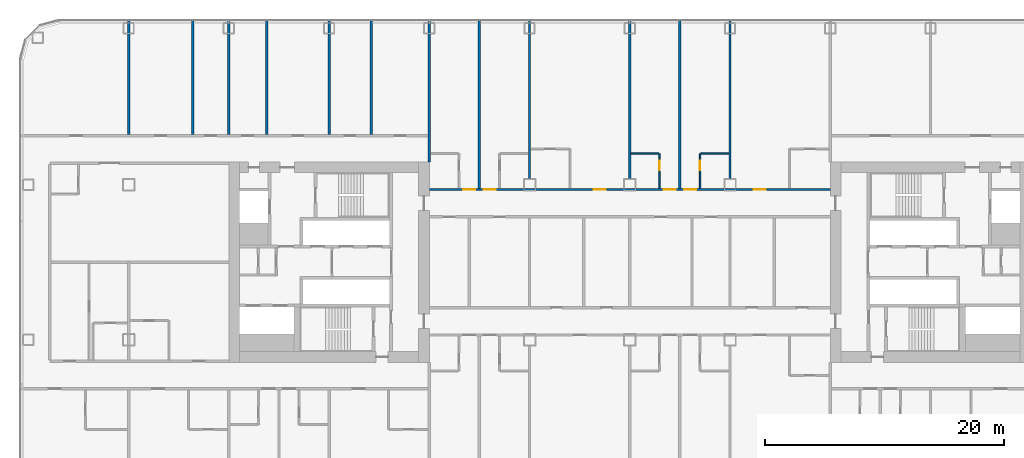
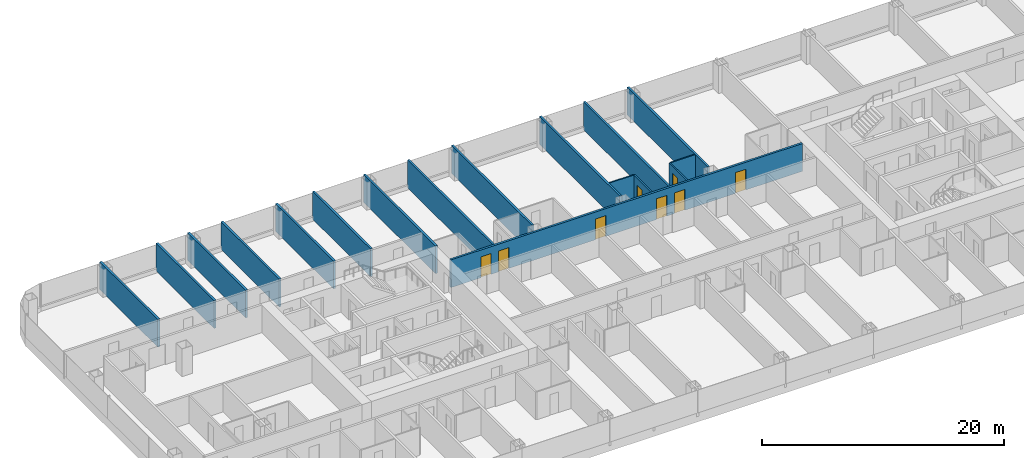
# One storey, part 17 of 29: 17 walls, 8 doors, 8 openings.
"""IFC4 building model written with IfcOpenShell, lengths in metres."""

from ifc_helpers import new_model, si_unit, direction, frame, frame_2d, origin, place, context, subcontext, project, spatial, rectangle, extrude, material, layer, layer_set, type_object, element, fill, save


model = new_model("IFC4")

# Units and contexts
model_context = context("Model", 3, precision=1e-05, world=origin(), true_north=direction((0.0, 1.0)))
body_context = subcontext(model_context, "Body", "Model", "MODEL_VIEW")
ifc_project = project(units=[si_unit("LENGTHUNIT", "METRE"), si_unit("AREAUNIT", "SQUARE_METRE"), si_unit("VOLUMEUNIT", "CUBIC_METRE"), si_unit("PLANEANGLEUNIT", "RADIAN"), si_unit("MASSUNIT", "GRAM", prefix="KILO")], contexts=[model_context])

# Site, building, storey
site_placement = place(None, origin())
site = spatial("IfcSite", under=ifc_project, at=site_placement, CompositionType="ELEMENT")
building_placement = place(site_placement, origin())
building = spatial("IfcBuilding", under=site, at=building_placement, Name="Hakoniwa Tower and Hamabe Station Hall", CompositionType="ELEMENT")
storey_placement = place(building_placement, frame((0.0, 0.0, 29.39990234375)))
storey = spatial("IfcBuildingStorey", under=building, at=storey_placement, Name="L07", CompositionType="ELEMENT", Elevation=29.39990234375)

# Walls
ifc_material_1 = material(Name="Gypsum board partition", Category="gypsum")
ifc_layer_1 = layer(ifc_material_1, 0.125)
ifc_layer_set_1 = layer_set([ifc_layer_1], Name="Bathroom Partition 125")
wall_type_1 = type_object("IfcWallType", Name="Bathroom Partition 125", PredefinedType="PARTITIONING", material=ifc_layer_set_1)
wall_1_placement = place(storey_placement, frame((0.10009765625, 9.10009765625, 0.0), z_axis=(0.0, 0.0, 1.0), x_axis=(1.0, 0.0, 0.0)))
element("IfcWall", 1, at=wall_1_placement, inside=storey, type_object=wall_type_1, Name="GW-L07-037", PredefinedType="PARTITIONING", context=body_context, shape_type="SweptSolid", body=[
    extrude(rectangle(XDim=2.33740234375, YDim=0.125, at=frame_2d((1.168701171875, 0.0))), origin(), (0.0, 0.0, 1.0), 2.800048828125),
])
wall_2_placement = place(storey_placement, frame((5.96240234375, 9.10009765625, 0.0), z_axis=(0.0, 0.0, 1.0), x_axis=(1.0, 0.0, 0.0)))
element("IfcWall", 2, at=wall_2_placement, inside=storey, type_object=wall_type_1, Name="GW-L07-038", PredefinedType="PARTITIONING", context=body_context, shape_type="SweptSolid", body=[
    extrude(rectangle(XDim=2.337646484375, YDim=0.125, at=frame_2d((1.1689453125, 0.0))), origin(), (0.0, 0.0, 1.0), 2.800048828125),
])

# Wall, opening, door
wall_3_placement = place(storey_placement, frame((2.5, 6.199951171875, 0.0), z_axis=(0.0, 0.0, 1.0), x_axis=(0.0, 1.0, 0.0)))
wall_3 = element("IfcWall", 3, at=wall_3_placement, inside=storey, type_object=wall_type_1, Name="GW-L07-082", PredefinedType="PARTITIONING", context=body_context, shape_type="SweptSolid", body=[
    extrude(rectangle(XDim=2.900146484375, YDim=0.125, at=frame_2d((1.4501953125, 0.0))), origin(), (0.0, 0.0, 1.0), 2.800048828125),
])
opening_1_placement = place(wall_3_placement, frame((1.5, 0.0, 0.0)))
opening_1 = element("IfcOpeningElement", 4, at=opening_1_placement, cuts=wall_3, Name="Opening GD-G1D0-71", PredefinedType="OPENING", context=body_context, shape_type="SweptSolid", body=[
    extrude(rectangle(XDim=0.800048828125, YDim=2.10009765625, at=frame_2d((0.39990234375, 1.050048828125))), frame((0.0, 0.072509765625, 0.0), z_axis=(0.0, -1.0, 0.0), x_axis=(1.0, 0.0, 0.0)), (0.0, 0.0, 1.0), 0.14501953125),
])
ifc_material_2 = material(Name="Timber door leaf", Category="wood")
door_type_1 = type_object("IfcDoorType", Name="Bathroom Door 800", OperationType="SINGLE_SWING_LEFT", PredefinedType="DOOR", material=ifc_material_2)
door_1_placement = place(opening_1_placement, origin())
door_1 = element("IfcDoor", 5, at=door_1_placement, inside=storey, type_object=door_type_1, Name="Door GD-G1D0-71", OperationType="SINGLE_SWING_LEFT", OverallHeight=2.10009765625, OverallWidth=0.800048828125, PredefinedType="DOOR", context=body_context, shape_type="SweptSolid", body=[
    extrude(rectangle(XDim=0.800048828125, YDim=2.10009765625, at=frame_2d((0.39990234375, 1.050048828125))), frame((0.0, 0.02490234375, 0.0), z_axis=(0.0, -1.0, 0.0), x_axis=(1.0, 0.0, 0.0)), (0.0, 0.0, 1.0), 0.050048828125),
])
fill(opening_1, door_1)

wall_4_placement = place(storey_placement, frame((5.89990234375, 6.199951171875, 0.0), z_axis=(0.0, 0.0, 1.0), x_axis=(0.0, 1.0, 0.0)))
wall_4 = element("IfcWall", 6, at=wall_4_placement, inside=storey, type_object=wall_type_1, Name="GW-L07-087", PredefinedType="PARTITIONING", context=body_context, shape_type="SweptSolid", body=[
    extrude(rectangle(XDim=2.900146484375, YDim=0.125, at=frame_2d((1.4501953125, 0.0))), origin(), (0.0, 0.0, 1.0), 2.800048828125),
])
opening_2_placement = place(wall_4_placement, frame((1.5, 0.0, 0.0)))
opening_2 = element("IfcOpeningElement", 7, at=opening_2_placement, cuts=wall_4, Name="Opening GD-G1D0-73", PredefinedType="OPENING", context=body_context, shape_type="SweptSolid", body=[
    extrude(rectangle(XDim=0.800048828125, YDim=2.10009765625, at=frame_2d((0.39990234375, 1.050048828125))), frame((0.0, 0.072509765625, 0.0), z_axis=(0.0, -1.0, 0.0), x_axis=(1.0, 0.0, 0.0)), (0.0, 0.0, 1.0), 0.14501953125),
])
door_2_placement = place(opening_2_placement, origin())
door_2 = element("IfcDoor", 8, at=door_2_placement, inside=storey, type_object=door_type_1, Name="Door GD-G1D0-73", OperationType="SINGLE_SWING_RIGHT", OverallHeight=2.10009765625, OverallWidth=0.800048828125, PredefinedType="DOOR", context=body_context, shape_type="SweptSolid", body=[
    extrude(rectangle(XDim=0.800048828125, YDim=2.10009765625, at=frame_2d((0.39990234375, 1.050048828125))), frame((0.0, 0.02490234375, 0.0), z_axis=(0.0, -1.0, 0.0), x_axis=(1.0, 0.0, 0.0)), (0.0, 0.0, 1.0), 0.050048828125),
])
fill(opening_2, door_2)

# Wall, openings, doors
ifc_material_3 = material(Name="Fire-rated gypsum board partition", Category="gypsum")
ifc_layer_2 = layer(ifc_material_3, 0.199951171875)
ifc_layer_set_2 = layer_set([ifc_layer_2], Name="Corridor Wall 200")
wall_type_2 = type_object("IfcWallType", Name="Corridor Wall 200", PredefinedType="PARTITIONING", material=ifc_layer_set_2)
wall_5_placement = place(storey_placement, frame((-16.800048828125, 6.10009765625, 0.0), z_axis=(0.0, 0.0, 1.0), x_axis=(1.0, 0.0, 0.0)))
wall_5 = element("IfcWall", 9, at=wall_5_placement, inside=storey, type_object=wall_type_2, Name="GW-L07-032", PredefinedType="PARTITIONING", context=body_context, shape_type="SweptSolid", body=[
    extrude(rectangle(XDim=33.60009765625, YDim=0.199951171875, at=frame_2d((16.800048828125, 0.0))), origin(), (0.0, 0.0, 1.0), 2.800048828125),
])
opening_3_placement = place(wall_5_placement, frame((2.85009765625, 0.0, 0.0)))
opening_3 = element("IfcOpeningElement", 10, at=opening_3_placement, cuts=wall_5, Name="Opening GD-G1D0-40", PredefinedType="OPENING", context=body_context, shape_type="SweptSolid", body=[
    extrude(rectangle(XDim=1.0, YDim=2.10009765625, at=frame_2d((0.5, 1.050048828125))), frame((0.0, 0.10986328125, 0.0), z_axis=(0.0, -1.0, 0.0), x_axis=(1.0, 0.0, 0.0)), (0.0, 0.0, 1.0), 0.219970703125),
])
opening_4_placement = place(wall_5_placement, frame((4.550048828125, 0.0, 0.0)))
opening_4 = element("IfcOpeningElement", 11, at=opening_4_placement, cuts=wall_5, Name="Opening GD-G1D0-41", PredefinedType="OPENING", context=body_context, shape_type="SweptSolid", body=[
    extrude(rectangle(XDim=1.0, YDim=2.10009765625, at=frame_2d((0.5, 1.050048828125))), frame((0.0, 0.10986328125, 0.0), z_axis=(0.0, -1.0, 0.0), x_axis=(1.0, 0.0, 0.0)), (0.0, 0.0, 1.0), 0.219970703125),
])
opening_5_placement = place(wall_5_placement, frame((13.800048828125, 0.0, 0.0)))
opening_5 = element("IfcOpeningElement", 12, at=opening_5_placement, cuts=wall_5, Name="Opening GD-G1D0-42", PredefinedType="OPENING", context=body_context, shape_type="SweptSolid", body=[
    extrude(rectangle(XDim=1.0, YDim=2.10009765625, at=frame_2d((0.5, 1.050048828125))), frame((0.0, 0.10986328125, 0.0), z_axis=(0.0, -1.0, 0.0), x_axis=(1.0, 0.0, 0.0)), (0.0, 0.0, 1.0), 0.219970703125),
])
opening_6_placement = place(wall_5_placement, frame((19.64990234375, 0.0, 0.0)))
opening_6 = element("IfcOpeningElement", 13, at=opening_6_placement, cuts=wall_5, Name="Opening GD-G1D0-43", PredefinedType="OPENING", context=body_context, shape_type="SweptSolid", body=[
    extrude(rectangle(XDim=1.0, YDim=2.10009765625, at=frame_2d((0.5, 1.050048828125))), frame((0.0, 0.10986328125, 0.0), z_axis=(0.0, -1.0, 0.0), x_axis=(1.0, 0.0, 0.0)), (0.0, 0.0, 1.0), 0.219970703125),
])
opening_7_placement = place(wall_5_placement, frame((21.35009765625, 0.0, 0.0)))
opening_7 = element("IfcOpeningElement", 14, at=opening_7_placement, cuts=wall_5, Name="Opening GD-G1D0-44", PredefinedType="OPENING", context=body_context, shape_type="SweptSolid", body=[
    extrude(rectangle(XDim=1.0, YDim=2.10009765625, at=frame_2d((0.5, 1.050048828125))), frame((0.0, 0.10986328125, 0.0), z_axis=(0.0, -1.0, 0.0), x_axis=(1.0, 0.0, 0.0)), (0.0, 0.0, 1.0), 0.219970703125),
])
opening_8_placement = place(wall_5_placement, frame((27.199951171875, 0.0, 0.0)))
opening_8 = element("IfcOpeningElement", 15, at=opening_8_placement, cuts=wall_5, Name="Opening GD-G1D0-45", PredefinedType="OPENING", context=body_context, shape_type="SweptSolid", body=[
    extrude(rectangle(XDim=1.0, YDim=2.10009765625, at=frame_2d((0.5, 1.050048828125))), frame((0.0, 0.10986328125, 0.0), z_axis=(0.0, -1.0, 0.0), x_axis=(1.0, 0.0, 0.0)), (0.0, 0.0, 1.0), 0.219970703125),
])
ifc_material_4 = material(Name="Timber door leaf", Category="wood")
door_type_2 = type_object("IfcDoorType", Name="Guest Entrance Door 1000", OperationType="SINGLE_SWING_LEFT", PredefinedType="DOOR", material=ifc_material_4)
door_3_placement = place(opening_3_placement, origin())
door_3 = element("IfcDoor", 16, at=door_3_placement, inside=storey, type_object=door_type_2, Name="Door GD-G1D0-40", OperationType="SINGLE_SWING_RIGHT", OverallHeight=2.10009765625, OverallWidth=1.0, PredefinedType="DOOR", context=body_context, shape_type="SweptSolid", body=[
    extrude(rectangle(XDim=1.0, YDim=2.10009765625, at=frame_2d((0.5, 1.050048828125))), frame((0.0, 0.02490234375, 0.0), z_axis=(0.0, -1.0, 0.0), x_axis=(1.0, 0.0, 0.0)), (0.0, 0.0, 1.0), 0.050048828125),
])
fill(opening_3, door_3)
door_4_placement = place(opening_4_placement, origin())
door_4 = element("IfcDoor", 17, at=door_4_placement, inside=storey, type_object=door_type_2, Name="Door GD-G1D0-41", OperationType="SINGLE_SWING_LEFT", OverallHeight=2.10009765625, OverallWidth=1.0, PredefinedType="DOOR", context=body_context, shape_type="SweptSolid", body=[
    extrude(rectangle(XDim=1.0, YDim=2.10009765625, at=frame_2d((0.5, 1.050048828125))), frame((0.0, 0.02490234375, 0.0), z_axis=(0.0, -1.0, 0.0), x_axis=(1.0, 0.0, 0.0)), (0.0, 0.0, 1.0), 0.050048828125),
])
fill(opening_4, door_4)
door_5_placement = place(opening_5_placement, origin())
door_5 = element("IfcDoor", 18, at=door_5_placement, inside=storey, type_object=door_type_2, Name="Door GD-G1D0-42", OperationType="SINGLE_SWING_RIGHT", OverallHeight=2.10009765625, OverallWidth=1.0, PredefinedType="DOOR", context=body_context, shape_type="SweptSolid", body=[
    extrude(rectangle(XDim=1.0, YDim=2.10009765625, at=frame_2d((0.5, 1.050048828125))), frame((0.0, 0.02490234375, 0.0), z_axis=(0.0, -1.0, 0.0), x_axis=(1.0, 0.0, 0.0)), (0.0, 0.0, 1.0), 0.050048828125),
])
fill(opening_5, door_5)
door_6_placement = place(opening_6_placement, origin())
door_6 = element("IfcDoor", 19, at=door_6_placement, inside=storey, type_object=door_type_2, Name="Door GD-G1D0-43", OperationType="SINGLE_SWING_LEFT", OverallHeight=2.10009765625, OverallWidth=1.0, PredefinedType="DOOR", context=body_context, shape_type="SweptSolid", body=[
    extrude(rectangle(XDim=1.0, YDim=2.10009765625, at=frame_2d((0.5, 1.050048828125))), frame((0.0, 0.02490234375, 0.0), z_axis=(0.0, -1.0, 0.0), x_axis=(1.0, 0.0, 0.0)), (0.0, 0.0, 1.0), 0.050048828125),
])
fill(opening_6, door_6)
door_7_placement = place(opening_7_placement, origin())
door_7 = element("IfcDoor", 20, at=door_7_placement, inside=storey, type_object=door_type_2, Name="Door GD-G1D0-44", OperationType="SINGLE_SWING_RIGHT", OverallHeight=2.10009765625, OverallWidth=1.0, PredefinedType="DOOR", context=body_context, shape_type="SweptSolid", body=[
    extrude(rectangle(XDim=1.0, YDim=2.10009765625, at=frame_2d((0.5, 1.050048828125))), frame((0.0, 0.02490234375, 0.0), z_axis=(0.0, -1.0, 0.0), x_axis=(1.0, 0.0, 0.0)), (0.0, 0.0, 1.0), 0.050048828125),
])
fill(opening_7, door_7)
door_8_placement = place(opening_8_placement, origin())
door_8 = element("IfcDoor", 21, at=door_8_placement, inside=storey, type_object=door_type_2, Name="Door GD-G1D0-45", OperationType="SINGLE_SWING_LEFT", OverallHeight=2.10009765625, OverallWidth=1.0, PredefinedType="DOOR", context=body_context, shape_type="SweptSolid", body=[
    extrude(rectangle(XDim=1.0, YDim=2.10009765625, at=frame_2d((0.5, 1.050048828125))), frame((0.0, 0.02490234375, 0.0), z_axis=(0.0, -1.0, 0.0), x_axis=(1.0, 0.0, 0.0)), (0.0, 0.0, 1.0), 0.050048828125),
])
fill(opening_8, door_8)

# Walls
ifc_material_5 = material(Name="Fire-rated gypsum board partition", Category="gypsum")
ifc_layer_3 = layer(ifc_material_5, 0.199951171875)
ifc_layer_set_3 = layer_set([ifc_layer_3], Name="Party Wall 200")
wall_type_3 = type_object("IfcWallType", Name="Party Wall 200", PredefinedType="PARTITIONING", material=ifc_layer_set_3)
for number, where, z_axis, x_axis, name in (
    (22, (-42.0, 10.699951171875, 0.0), (0.0, 0.0, 1.0), (0.0, 1.0, 0.0), "GW-L07-050"),
    (23, (-36.6201171875, 10.699951171875, 0.0), (0.0, 0.0, 1.0), (0.0, 1.0, 0.0), "GW-L07-053"),
    (24, (-33.60009765625, 10.699951171875, 0.0), (0.0, 0.0, 1.0), (0.0, 1.0, 0.0), "GW-L07-055"),
    (25, (-30.409912109375, 10.699951171875, 0.0), (0.0, 0.0, 1.0), (0.0, 1.0, 0.0), "GW-L07-057"),
    (26, (-25.199951171875, 10.699951171875, 0.0), (0.0, 0.0, 1.0), (0.0, 1.0, 0.0), "GW-L07-061"),
    (27, (-21.669921875, 10.699951171875, 0.0), (0.0, 0.0, 1.0), (0.0, 1.0, 0.0), "GW-L07-062"),
):
    element("IfcWall", number, at=place(storey_placement, frame(where, z_axis=z_axis, x_axis=x_axis)), inside=storey, type_object=wall_type_3, Name=name, PredefinedType="PARTITIONING", context=body_context, shape_type="SweptSolid", body=[
        extrude(rectangle(XDim=9.60009765625, YDim=0.199951171875, at=frame_2d((4.800048828125, 0.0))), origin(), (0.0, 0.0, 1.0), 2.800048828125),
    ])
wall_6_placement = place(storey_placement, frame((-16.800048828125, 8.389892578125, 0.0), z_axis=(0.0, 0.0, 1.0), x_axis=(0.0, 1.0, 0.0)))
element("IfcWall", 28, at=wall_6_placement, inside=storey, type_object=wall_type_3, Name="GW-L07-065", PredefinedType="PARTITIONING", context=body_context, shape_type="SweptSolid", body=[
    extrude(rectangle(XDim=11.91015625, YDim=0.199951171875, at=frame_2d((5.955078125, 0.0))), origin(), (0.0, 0.0, 1.0), 2.800048828125),
])
wall_7_placement = place(storey_placement, frame((-12.60009765625, 6.199951171875, 0.0), z_axis=(0.0, 0.0, 1.0), x_axis=(0.0, 1.0, 0.0)))
element("IfcWall", 29, at=wall_7_placement, inside=storey, type_object=wall_type_3, Name="GW-L07-070", PredefinedType="PARTITIONING", context=body_context, shape_type="SweptSolid", body=[
    extrude(rectangle(XDim=14.10009765625, YDim=0.199951171875, at=frame_2d((7.050048828125, 0.0))), origin(), (0.0, 0.0, 1.0), 2.800048828125),
])
for number, where, z_axis, x_axis, name in (
    (30, (-8.39990234375, 6.989990234375, 0.0), (0.0, 0.0, 1.0), (0.0, 1.0, 0.0), "GW-L07-075"),
    (31, (0.0, 6.989990234375, 0.0), (0.0, 0.0, 1.0), (0.0, 1.0, 0.0), "GW-L07-080"),
):
    element("IfcWall", number, at=place(storey_placement, frame(where, z_axis=z_axis, x_axis=x_axis)), inside=storey, type_object=wall_type_3, Name=name, PredefinedType="PARTITIONING", context=body_context, shape_type="SweptSolid", body=[
        extrude(rectangle(XDim=13.31005859375, YDim=0.199951171875, at=frame_2d((6.655029296875, 0.0))), origin(), (0.0, 0.0, 1.0), 2.800048828125),
    ])
wall_8_placement = place(storey_placement, frame((4.199951171875, 6.199951171875, 0.0), z_axis=(0.0, 0.0, 1.0), x_axis=(0.0, 1.0, 0.0)))
element("IfcWall", 32, at=wall_8_placement, inside=storey, type_object=wall_type_3, Name="GW-L07-084", PredefinedType="PARTITIONING", context=body_context, shape_type="SweptSolid", body=[
    extrude(rectangle(XDim=14.10009765625, YDim=0.199951171875, at=frame_2d((7.050048828125, 0.0))), origin(), (0.0, 0.0, 1.0), 2.800048828125),
])
wall_9_placement = place(storey_placement, frame((8.39990234375, 6.989990234375, 0.0), z_axis=(0.0, 0.0, 1.0), x_axis=(0.0, 1.0, 0.0)))
element("IfcWall", 33, at=wall_9_placement, inside=storey, type_object=wall_type_3, Name="GW-L07-090", PredefinedType="PARTITIONING", context=body_context, shape_type="SweptSolid", body=[
    extrude(rectangle(XDim=13.31005859375, YDim=0.199951171875, at=frame_2d((6.655029296875, 0.0))), origin(), (0.0, 0.0, 1.0), 2.800048828125),
])

save(model, "model.ifc")
